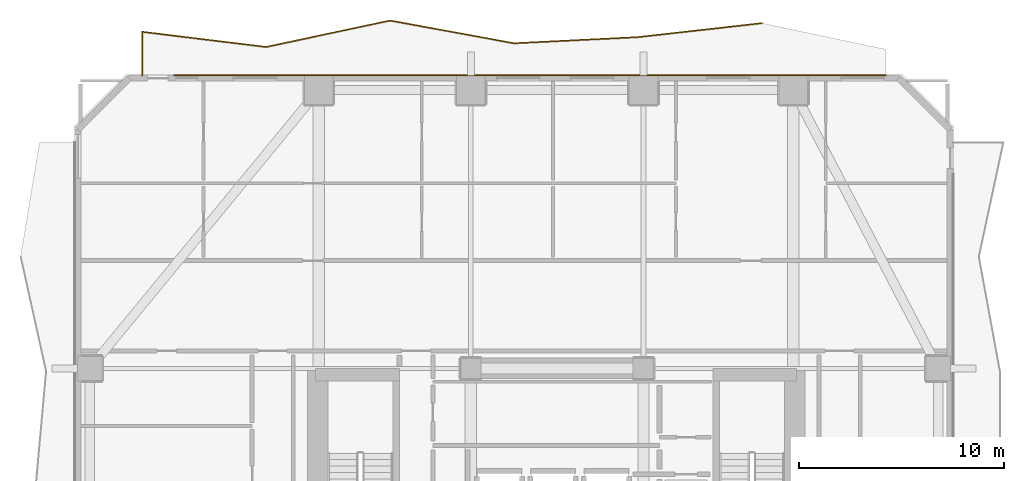
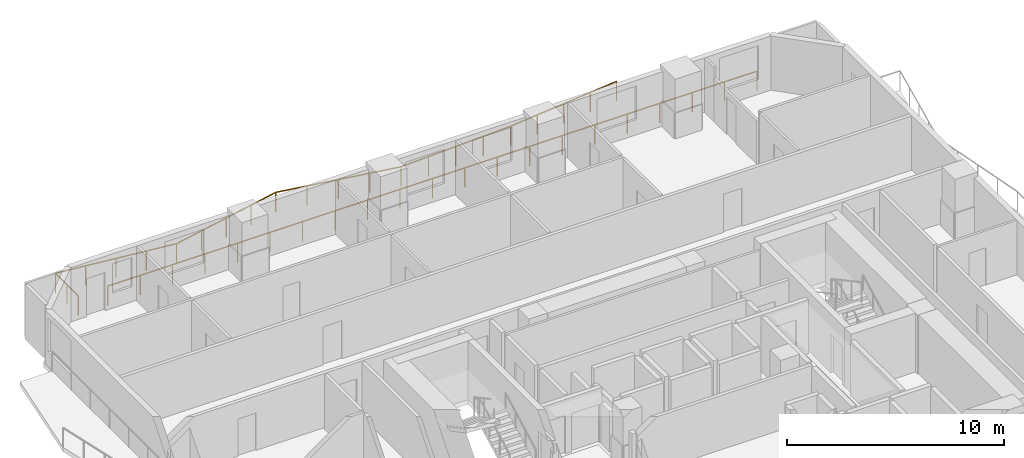
# One storey, part 10 of 10: 2 railings.
"""IFC4 building model written with IfcOpenShell, lengths in metres."""

import ifcopenshell
import ifcopenshell.guid

model = None  # the IFC model being written
_history = None  # IfcOwnerHistory: only IFC2X3 demands one
_inside = {}  # id of a spatial element -> (the spatial element, [elements in it])
_under = {}  # id of a project, library or spatial element -> (it, [spatial elements below it])
_declared = {}  # id of a project -> (the project, [libraries it declares])
_typed = {}  # id of a type object -> (the type object, [elements of that type])
_made_of = {}  # id of a material, layer set ... -> (it, [elements and type objects made of it])


def new_model(schema):
    """Start an empty IFC model of exactly this schema.

    Asked for "IFC4X3", IfcOpenShell would pick the latest addendum, in which some entities
    have other attributes; the version numbers below select the first issue.
    IFC2X3 requires an IfcOwnerHistory on every rooted entity: one is made here for all.
    """
    global model, _history
    if schema == "IFC4X3":
        model = ifcopenshell.file(schema_version=(4, 3, 0, 0))
    else:
        model = ifcopenshell.file(schema=schema)
    _inside.clear()
    _under.clear()
    _declared.clear()
    _typed.clear()
    _made_of.clear()
    _history = None
    if model.schema == "IFC2X3":
        org = make("IfcOrganization", Name="unknown")
        user = make(
            "IfcPersonAndOrganization",
            ThePerson=make("IfcPerson", FamilyName="unknown"),
            TheOrganization=org,
        )
        app = make(
            "IfcApplication",
            ApplicationDeveloper=org,
            Version="unknown",
            ApplicationFullName="unknown",
            ApplicationIdentifier="unknown",
        )
        _history = make(
            "IfcOwnerHistory",
            OwningUser=user,
            OwningApplication=app,
            ChangeAction="ADDED",
            CreationDate=0,
        )
    return model


def make(cls, **values):
    """One entity of the class cls with the attributes given. An attribute that is None is left unset."""
    return model.create_entity(
        cls, **{name: value for name, value in values.items() if value is not None}
    )


def rooted(cls, **values):
    """An entity with a GlobalId (a new one), such as an element, a storey or a relation."""
    return make(cls, GlobalId=ifcopenshell.guid.new(), OwnerHistory=_history, **values)


def si_unit(unit_type, name, prefix=None):
    """IfcSIUnit, for example si_unit("LENGTHUNIT", "METRE", prefix="MILLI")."""
    return make("IfcSIUnit", UnitType=unit_type, Prefix=prefix, Name=name)


def assignment(units):
    """IfcUnitAssignment: the units of a project."""
    return None if units is None else make("IfcUnitAssignment", Units=units)


def point(xyz):
    """IfcCartesianPoint."""
    return None if xyz is None else make("IfcCartesianPoint", Coordinates=xyz)


def direction(xyz):
    """IfcDirection."""
    return None if xyz is None else make("IfcDirection", DirectionRatios=xyz)


def frame(location, z_axis=None, x_axis=None):
    """IfcAxis2Placement3D, a coordinate frame: its origin and axes. An axis left out is left unset."""
    return make(
        "IfcAxis2Placement3D",
        Location=point(location),
        Axis=direction(z_axis),
        RefDirection=direction(x_axis),
    )


def frame_2d(location, x_axis=None):
    """IfcAxis2Placement2D, a coordinate frame in the plane: its origin and x axis."""
    return make(
        "IfcAxis2Placement2D", Location=point(location), RefDirection=direction(x_axis)
    )


def origin():
    """The frame at (0, 0, 0) with its axes left unset."""
    return frame((0.0, 0.0, 0.0))


def origin_2d():
    """The frame at (0, 0) in the plane with its x axis left unset."""
    return frame_2d((0.0, 0.0))


def place(relative_to, where):
    """IfcLocalPlacement: puts the frame where relative to a parent placement (None: the world)."""
    return make(
        "IfcLocalPlacement", PlacementRelTo=relative_to, RelativePlacement=where
    )


def context(
    kind, dimensions, precision=None, world=None, true_north=None, identifier=None
):
    """IfcGeometricRepresentationContext, for example the 3D "Model" context."""
    return make(
        "IfcGeometricRepresentationContext",
        ContextIdentifier=identifier,
        ContextType=kind,
        CoordinateSpaceDimension=dimensions,
        Precision=precision,
        WorldCoordinateSystem=world,
        TrueNorth=true_north,
    )


def subcontext(parent, identifier, kind, view, scale=None):
    """IfcGeometricRepresentationSubContext, for example "Body" below "Model"."""
    return make(
        "IfcGeometricRepresentationSubContext",
        ContextIdentifier=identifier,
        ContextType=kind,
        ParentContext=parent,
        TargetScale=scale,
        TargetView=view,
    )


def project(units=None, contexts=None):
    """IfcProject with its units and contexts."""
    return rooted(
        "IfcProject",
        Name="project",
        RepresentationContexts=contexts,
        UnitsInContext=assignment(units),
    )


def spatial(cls, under=None, at=None, **own):
    """A site, building, storey or space (cls), placed at a placement, below another one or the project."""
    s = rooted(cls, ObjectPlacement=at, **own)
    if under is not None:
        _under.setdefault(under.id(), (under, []))[1].append(s)
    return s


def profile(cls, at=None, kind="AREA", **sizes):
    """A parametric profile (cls). Its sizes go by their IFC names, for example OverallWidth=200.0."""
    return make(cls, ProfileType=kind, Position=at, **sizes)


def rectangle(**sizes):
    """IfcRectangleProfileDef."""
    return profile("IfcRectangleProfileDef", **sizes)


def extrude(swept, where, along, depth):
    """IfcExtrudedAreaSolid: the profile swept, set in the frame where, extruded along a direction by depth."""
    return make(
        "IfcExtrudedAreaSolid",
        SweptArea=swept,
        Position=where,
        ExtrudedDirection=direction(along),
        Depth=depth,
    )


def shape(context_of_items, identifier, shape_type, items):
    """IfcShapeRepresentation: the items that make up one representation, for example the "Body"."""
    return make(
        "IfcShapeRepresentation",
        ContextOfItems=context_of_items,
        RepresentationIdentifier=identifier,
        RepresentationType=shape_type,
        Items=items,
    )


def material(Name=None, Category=None):
    """IfcMaterial."""
    return make("IfcMaterial", Name=Name, Category=Category)


def made_of(thing, what):
    """Note that an element or type object is made of a material, layer set ...; save() writes the relation."""
    if what is not None:
        _made_of.setdefault(what.id(), (what, []))[1].append(thing)
    return thing


def type_object(cls, material=None, **own):
    """A type object (cls), such as IfcWallType, which elements share."""
    return made_of(rooted(cls, **own), material)


def element(
    cls,
    number,
    at=None,
    inside=None,
    cuts=None,
    type_object=None,
    material=None,
    context=None,
    identifier="Body",
    shape_type=None,
    held_by="IfcProductDefinitionShape",
    body=None,
    shapes=None,
    **own,
):
    """One element of the class cls, such as IfcWall. Its Tag is "e" and its number.

    at: its placement. inside: the storey or other place that contains it. cuts: it is an
    opening in that element (IfcRelVoidsElement). A single representation is given by context,
    identifier, shape_type and body (its items); several are given by shapes. held_by: the class
    of the entity that holds the representations. save() writes the other relations.
    """
    e = rooted(cls, Tag="e%d" % number, ObjectPlacement=at, **own)
    if body is not None:
        shapes = [shape(context, identifier, shape_type, body)]
    if shapes is not None:
        e.Representation = make(held_by, Representations=shapes)
    if inside is not None:
        _inside.setdefault(inside.id(), (inside, []))[1].append(e)
    if cuts is not None:
        rooted(
            "IfcRelVoidsElement", RelatingBuildingElement=cuts, RelatedOpeningElement=e
        )
    if type_object is not None:
        _typed.setdefault(type_object.id(), (type_object, []))[1].append(e)
    return made_of(e, material)


def aggregate(whole, parts):
    """IfcRelAggregates: a whole, such as a stair, and the parts it consists of."""
    return rooted("IfcRelAggregates", RelatingObject=whole, RelatedObjects=parts)


def save(model, path):
    """Write the relations noted so far, then the file.

    IfcRelAggregates (storeys below a building ...), IfcRelContainedInSpatialStructure (elements
    in a storey), IfcRelDefinesByType, IfcRelAssociatesMaterial and IfcRelDeclares: one each for
    every whole, place, type object, material and project.
    """
    for whole, parts in _under.values():
        aggregate(whole, parts)
    for where, things in _inside.values():
        rooted(
            "IfcRelContainedInSpatialStructure",
            RelatedElements=things,
            RelatingStructure=where,
        )
    for kind, things in _typed.values():
        rooted("IfcRelDefinesByType", RelatedObjects=things, RelatingType=kind)
    for what, things in _made_of.values():
        rooted("IfcRelAssociatesMaterial", RelatedObjects=things, RelatingMaterial=what)
    for by, libraries in _declared.values():
        rooted("IfcRelDeclares", RelatingContext=by, RelatedDefinitions=libraries)
    model.write(path)


model = new_model("IFC4")

# Units and contexts
model_context = context("Model", 3, precision=1e-05, world=origin(), true_north=direction((0.0, 1.0)))
body_context = subcontext(model_context, "Body", "Model", "MODEL_VIEW")
ifc_project = project(units=[si_unit("LENGTHUNIT", "METRE"), si_unit("AREAUNIT", "SQUARE_METRE"), si_unit("VOLUMEUNIT", "CUBIC_METRE"), si_unit("PLANEANGLEUNIT", "RADIAN"), si_unit("MASSUNIT", "GRAM", prefix="KILO")], contexts=[model_context])

# Site, building, storey
site_placement = place(None, origin())
site = spatial("IfcSite", under=ifc_project, at=site_placement, CompositionType="ELEMENT")
building_placement = place(site_placement, origin())
building = spatial("IfcBuilding", under=site, at=building_placement, Name="Solanera Arch Residences", CompositionType="ELEMENT")
storey_placement = place(building_placement, frame((0.0, 0.0, 92.800048828125)))
storey = spatial("IfcBuildingStorey", under=building, at=storey_placement, Name="L26", CompositionType="ELEMENT", Elevation=92.800048828125)

# Railings
ifc_material = material(Name="Steel S355 (ASTM A992 / A572 Grade 50)", Category="steel")
railing_type = type_object("IfcRailingType", Name="Balustrade Railing BL-1100", PredefinedType="BALUSTRADE", material=ifc_material)
railing_1_placement = place(storey_placement, frame((34.967041015625, 56.208984375, 0.0)))
element("IfcRailing", 1, at=railing_1_placement, inside=storey, type_object=railing_type, Name="L26 N Balcony Balustrade 1", PredefinedType="BALUSTRADE", context=body_context, shape_type="SweptSolid", body=[
    extrude(rectangle(XDim=0.048095703125, YDim=0.048095703125, at=origin_2d()), frame((0.0, 0.0, 1.09619140625), z_axis=(-0.993710920181, -0.111975922019, 0.0), x_axis=(0.111975922019, -0.993710920181, 0.0)), (0.0, 0.0, 1.0), 6.072021484375),
    extrude(rectangle(XDim=0.048095703125, YDim=0.048095703125, at=origin_2d()), frame((-6.033935546875, -0.679931640625, 1.09619140625), z_axis=(-0.998773614801, -0.049510265382, 0.0), x_axis=(0.049510265382, -0.998773614801, 0.0)), (0.0, 0.0, 1.0), 6.04052734375),
    extrude(rectangle(XDim=0.048095703125, YDim=0.048095703125, at=origin_2d()), frame((-12.067138671875, -0.97900390625, 1.09619140625), z_axis=(-0.983552505906, 0.180622446352, 0.0), x_axis=(-0.180622446352, -0.983552505906, 0.0)), (0.0, 0.0, 1.0), 6.1337890625),
    extrude(rectangle(XDim=0.048095703125, YDim=0.048095703125, at=origin_2d()), frame((-18.10009765625, 0.12890625, 1.09619140625), z_axis=(-0.977972915756, -0.208731828065, 0.0), x_axis=(0.208731828065, -0.977972915756, 0.0)), (0.0, 0.0, 1.0), 6.169921875),
    extrude(rectangle(XDim=0.048095703125, YDim=0.048095703125, at=origin_2d()), frame((-24.134033203125, -1.158935546875, 1.09619140625), z_axis=(-0.992600128922, 0.121428925974, 0.0), x_axis=(-0.121428925974, -0.992600128922, 0.0)), (0.0, 0.0, 1.0), 6.077880859375),
    extrude(rectangle(XDim=0.048095703125, YDim=0.048095703125, at=origin_2d()), frame((-30.1669921875, -0.4208984375, 1.09619140625), z_axis=(0.0, -1.0, 0.0), x_axis=(1.0, 0.0, 0.0)), (0.0, 0.0, 1.0), 2.108154296875),
    extrude(rectangle(XDim=0.0419921875, YDim=0.0419921875, at=origin_2d()), origin(), (0.0, 0.0, 1.0), 1.072021484375),
    extrude(rectangle(XDim=0.0419921875, YDim=0.0419921875, at=origin_2d()), frame((-1.508544921875, -0.169921875, 0.0)), (0.0, 0.0, 1.0), 1.072021484375),
    extrude(rectangle(XDim=0.0419921875, YDim=0.0419921875, at=origin_2d()), frame((-3.01708984375, -0.33984375, 0.0)), (0.0, 0.0, 1.0), 1.072021484375),
    extrude(rectangle(XDim=0.0419921875, YDim=0.0419921875, at=origin_2d()), frame((-4.525390625, -0.510009765625, 0.0)), (0.0, 0.0, 1.0), 1.072021484375),
    extrude(rectangle(XDim=0.0419921875, YDim=0.0419921875, at=origin_2d()), frame((-6.033935546875, -0.679931640625, 0.0)), (0.0, 0.0, 1.0), 1.072021484375),
    extrude(rectangle(XDim=0.0419921875, YDim=0.0419921875, at=origin_2d()), frame((-7.542236328125, -0.754638671875, 0.0)), (0.0, 0.0, 1.0), 1.072021484375),
    extrude(rectangle(XDim=0.0419921875, YDim=0.0419921875, at=origin_2d()), frame((-9.050537109375, -0.82958984375, 0.0)), (0.0, 0.0, 1.0), 1.072021484375),
    extrude(rectangle(XDim=0.0419921875, YDim=0.0419921875, at=origin_2d()), frame((-10.558837890625, -0.904296875, 0.0)), (0.0, 0.0, 1.0), 1.072021484375),
    extrude(rectangle(XDim=0.0419921875, YDim=0.0419921875, at=origin_2d()), frame((-12.067138671875, -0.97900390625, 0.0)), (0.0, 0.0, 1.0), 1.072021484375),
    extrude(rectangle(XDim=0.0419921875, YDim=0.0419921875, at=origin_2d()), frame((-13.575439453125, -0.7021484375, 0.0)), (0.0, 0.0, 1.0), 1.072021484375),
    extrude(rectangle(XDim=0.0419921875, YDim=0.0419921875, at=origin_2d()), frame((-15.08349609375, -0.425048828125, 0.0)), (0.0, 0.0, 1.0), 1.072021484375),
    extrude(rectangle(XDim=0.0419921875, YDim=0.0419921875, at=origin_2d()), frame((-16.591796875, -0.14794921875, 0.0)), (0.0, 0.0, 1.0), 1.072021484375),
    extrude(rectangle(XDim=0.0419921875, YDim=0.0419921875, at=origin_2d()), frame((-18.10009765625, 0.12890625, 0.0)), (0.0, 0.0, 1.0), 1.072021484375),
    extrude(rectangle(XDim=0.0419921875, YDim=0.0419921875, at=origin_2d()), frame((-19.608642578125, -0.193115234375, 0.0)), (0.0, 0.0, 1.0), 1.072021484375),
    extrude(rectangle(XDim=0.0419921875, YDim=0.0419921875, at=origin_2d()), frame((-21.1171875, -0.51513671875, 0.0)), (0.0, 0.0, 1.0), 1.072021484375),
    extrude(rectangle(XDim=0.0419921875, YDim=0.0419921875, at=origin_2d()), frame((-22.62548828125, -0.8369140625, 0.0)), (0.0, 0.0, 1.0), 1.072021484375),
    extrude(rectangle(XDim=0.0419921875, YDim=0.0419921875, at=origin_2d()), frame((-24.134033203125, -1.158935546875, 0.0)), (0.0, 0.0, 1.0), 1.072021484375),
    extrude(rectangle(XDim=0.0419921875, YDim=0.0419921875, at=origin_2d()), frame((-25.642333984375, -0.974365234375, 0.0)), (0.0, 0.0, 1.0), 1.072021484375),
    extrude(rectangle(XDim=0.0419921875, YDim=0.0419921875, at=origin_2d()), frame((-27.150390625, -0.7900390625, 0.0)), (0.0, 0.0, 1.0), 1.072021484375),
    extrude(rectangle(XDim=0.0419921875, YDim=0.0419921875, at=origin_2d()), frame((-28.65869140625, -0.60546875, 0.0)), (0.0, 0.0, 1.0), 1.072021484375),
    extrude(rectangle(XDim=0.0419921875, YDim=0.0419921875, at=origin_2d()), frame((-30.1669921875, -0.4208984375, 0.0)), (0.0, 0.0, 1.0), 1.072021484375),
    extrude(rectangle(XDim=0.0419921875, YDim=0.0419921875, at=origin_2d()), frame((-30.1669921875, -1.47509765625, 0.0)), (0.0, 0.0, 1.0), 1.072021484375),
    extrude(rectangle(XDim=0.0419921875, YDim=0.0419921875, at=origin_2d()), frame((-30.1669921875, -2.529052734375, 0.0)), (0.0, 0.0, 1.0), 1.072021484375),
])
railing_2_placement = place(storey_placement, frame((6.365966796875, 53.679931640625, 0.0)))
element("IfcRailing", 2, at=railing_2_placement, inside=storey, type_object=railing_type, Name="L26 N Balcony Balustrade 2", PredefinedType="BALUSTRADE", context=body_context, shape_type="SweptSolid", body=[
    extrude(rectangle(XDim=0.048095703125, YDim=0.048095703125, at=origin_2d()), frame((0.0, 0.0, 1.09619140625), z_axis=(1.0, 0.0, 0.0), x_axis=(0.0, 1.0, 0.0)), (0.0, 0.0, 1.0), 34.634033203125),
    extrude(rectangle(XDim=0.0419921875, YDim=0.0419921875, at=origin_2d()), origin(), (0.0, 0.0, 1.0), 1.072021484375),
    extrude(rectangle(XDim=0.0419921875, YDim=0.0419921875, at=origin_2d()), frame((1.731689453125, 0.0, 0.0)), (0.0, 0.0, 1.0), 1.072021484375),
    extrude(rectangle(XDim=0.0419921875, YDim=0.0419921875, at=origin_2d()), frame((3.46337890625, 0.0, 0.0)), (0.0, 0.0, 1.0), 1.072021484375),
    extrude(rectangle(XDim=0.0419921875, YDim=0.0419921875, at=origin_2d()), frame((5.195068359375, 0.0, 0.0)), (0.0, 0.0, 1.0), 1.072021484375),
    extrude(rectangle(XDim=0.0419921875, YDim=0.0419921875, at=origin_2d()), frame((6.9267578125, 0.0, 0.0)), (0.0, 0.0, 1.0), 1.072021484375),
    extrude(rectangle(XDim=0.0419921875, YDim=0.0419921875, at=origin_2d()), frame((8.658447265625, 0.0, 0.0)), (0.0, 0.0, 1.0), 1.072021484375),
    extrude(rectangle(XDim=0.0419921875, YDim=0.0419921875, at=origin_2d()), frame((10.39013671875, 0.0, 0.0)), (0.0, 0.0, 1.0), 1.072021484375),
    extrude(rectangle(XDim=0.0419921875, YDim=0.0419921875, at=origin_2d()), frame((12.121826171875, 0.0, 0.0)), (0.0, 0.0, 1.0), 1.072021484375),
    extrude(rectangle(XDim=0.0419921875, YDim=0.0419921875, at=origin_2d()), frame((13.853515625, 0.0, 0.0)), (0.0, 0.0, 1.0), 1.072021484375),
    extrude(rectangle(XDim=0.0419921875, YDim=0.0419921875, at=origin_2d()), frame((15.585205078125, 0.0, 0.0)), (0.0, 0.0, 1.0), 1.072021484375),
    extrude(rectangle(XDim=0.0419921875, YDim=0.0419921875, at=origin_2d()), frame((17.31689453125, 0.0, 0.0)), (0.0, 0.0, 1.0), 1.072021484375),
    extrude(rectangle(XDim=0.0419921875, YDim=0.0419921875, at=origin_2d()), frame((19.048828125, 0.0, 0.0)), (0.0, 0.0, 1.0), 1.072021484375),
    extrude(rectangle(XDim=0.0419921875, YDim=0.0419921875, at=origin_2d()), frame((20.780517578125, 0.0, 0.0)), (0.0, 0.0, 1.0), 1.072021484375),
    extrude(rectangle(XDim=0.0419921875, YDim=0.0419921875, at=origin_2d()), frame((22.51220703125, 0.0, 0.0)), (0.0, 0.0, 1.0), 1.072021484375),
    extrude(rectangle(XDim=0.0419921875, YDim=0.0419921875, at=origin_2d()), frame((24.243896484375, 0.0, 0.0)), (0.0, 0.0, 1.0), 1.072021484375),
    extrude(rectangle(XDim=0.0419921875, YDim=0.0419921875, at=origin_2d()), frame((25.9755859375, 0.0, 0.0)), (0.0, 0.0, 1.0), 1.072021484375),
    extrude(rectangle(XDim=0.0419921875, YDim=0.0419921875, at=origin_2d()), frame((27.707275390625, 0.0, 0.0)), (0.0, 0.0, 1.0), 1.072021484375),
    extrude(rectangle(XDim=0.0419921875, YDim=0.0419921875, at=origin_2d()), frame((29.43896484375, 0.0, 0.0)), (0.0, 0.0, 1.0), 1.072021484375),
    extrude(rectangle(XDim=0.0419921875, YDim=0.0419921875, at=origin_2d()), frame((31.170654296875, 0.0, 0.0)), (0.0, 0.0, 1.0), 1.072021484375),
    extrude(rectangle(XDim=0.0419921875, YDim=0.0419921875, at=origin_2d()), frame((32.90234375, 0.0, 0.0)), (0.0, 0.0, 1.0), 1.072021484375),
    extrude(rectangle(XDim=0.0419921875, YDim=0.0419921875, at=origin_2d()), frame((34.634033203125, 0.0, 0.0)), (0.0, 0.0, 1.0), 1.072021484375),
])

save(model, "model.ifc")
